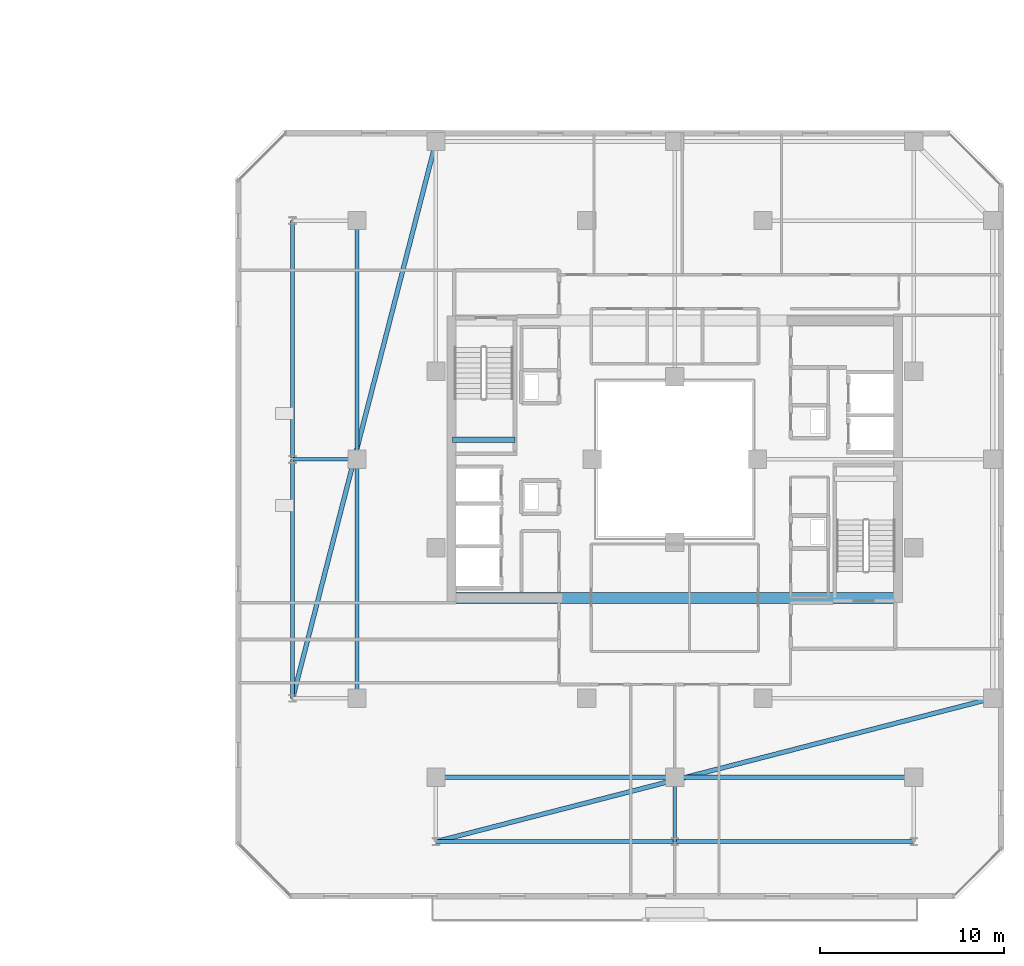
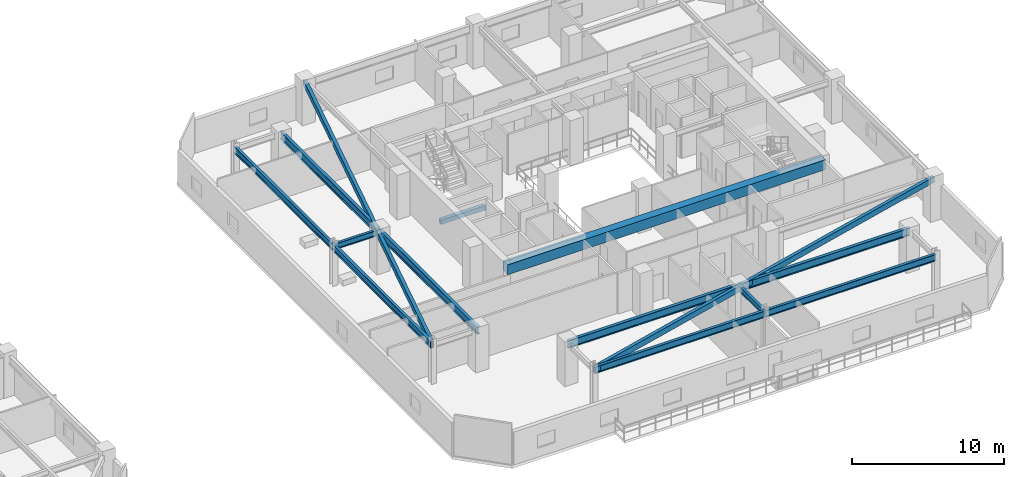
# One storey, part 12 of 33: 14 beams.
"""IFC4 building model written with IfcOpenShell, lengths in metres."""

from ifc_helpers import new_model, si_unit, direction, frame, origin, origin_2d, place, context, subcontext, project, spatial, rectangle, hollow_rectangle, i_section, extrude, material, material_profile, profile_set, type_object, element, save


model = new_model("IFC4")

# Units and contexts
model_context = context("Model", 3, precision=1e-05, world=origin(), true_north=direction((0.0, 1.0)))
body_context = subcontext(model_context, "Body", "Model", "MODEL_VIEW")
ifc_project = project(units=[si_unit("LENGTHUNIT", "METRE"), si_unit("AREAUNIT", "SQUARE_METRE"), si_unit("VOLUMEUNIT", "CUBIC_METRE"), si_unit("PLANEANGLEUNIT", "RADIAN"), si_unit("MASSUNIT", "GRAM", prefix="KILO")], contexts=[model_context])

# Site, building, storey
site_placement = place(None, origin())
site = spatial("IfcSite", under=ifc_project, at=site_placement, CompositionType="ELEMENT")
building_placement = place(site_placement, origin())
building = spatial("IfcBuilding", under=site, at=building_placement, Name="Thornwick Lancets Civic Towers", CompositionType="ELEMENT")
storey_placement = place(building_placement, frame((0.0, 0.0, 218.10009765625)))
storey = spatial("IfcBuildingStorey", under=building, at=storey_placement, Name="L58", CompositionType="ELEMENT", Elevation=218.10009765625)

# Beams
ifc_material_1 = material(Name="Concrete C60/75", Category="concrete")
ifc_material_profile_1 = material_profile(ifc_material_1, rectangle(XDim=0.60009765625, YDim=0.800048828125, at=origin_2d()), Name="RC 600x800")
ifc_profile_set_1 = profile_set([ifc_material_profile_1], Name="Concrete C60/75")
beam_type_1 = type_object("IfcBeamType", Name="BM_COUP_RC800", PredefinedType="BEAM", material=ifc_profile_set_1)
beam_1_placement = place(storey_placement, frame((76.39990234375, 19.449951171875, 2.8798828125), z_axis=(1.0, 0.0, 0.0), x_axis=(0.0, 1.0, 0.0)))
element("IfcBeam", 1, at=beam_1_placement, inside=storey, type_object=beam_type_1, Name="CB-L58-B2", PredefinedType="BEAM", context=body_context, shape_type="SweptSolid", body=[
    extrude(rectangle(XDim=0.60009765625, YDim=0.800048828125, at=origin_2d()), origin(), (0.0, 0.0, 1.0), 24.2001953125),
])
ifc_material_2 = material(Name="Steel S355JR", Category="steel")
ifc_material_profile_2 = material_profile(ifc_material_2, i_section(OverallWidth=0.210693359375, OverallDepth=0.53955078125, WebThickness=0.01171875, FlangeThickness=0.018798828125, FilletRadius=0.0126953125, at=origin_2d()), Name="UKB 533x210x109")
ifc_profile_set_2 = profile_set([ifc_material_profile_2], Name="Steel S355JR")
beam_type_2 = type_object("IfcBeamType", Name="BM_EDGE_533_109", PredefinedType="SPANDREL", material=ifc_profile_set_2)
beam_2_placement = place(storey_placement, frame((67.699951171875, 14.0, 3.01025390625), z_axis=(0.0, 1.0, 0.0), x_axis=(-1.0, 0.0, 0.0)))
element("IfcBeam", 2, at=beam_2_placement, inside=storey, type_object=beam_type_2, Name="BM-EDGE-L58-B-S2-1", PredefinedType="SPANDREL", context=body_context, shape_type="SweptSolid", body=[
    extrude(i_section(OverallWidth=0.210693359375, OverallDepth=0.53955078125, WebThickness=0.01171875, FlangeThickness=0.018798828125, FilletRadius=0.0126953125, at=origin_2d()), origin(), (0.0, 0.0, 1.0), 13.0),
])
beam_3_placement = place(storey_placement, frame((67.699951171875, 27.080078125, 3.01025390625), z_axis=(0.0, 1.0, 0.0), x_axis=(-1.0, 0.0, 0.0)))
element("IfcBeam", 3, at=beam_3_placement, inside=storey, type_object=beam_type_2, Name="BM-EDGE-L58-B-S2-2", PredefinedType="SPANDREL", context=body_context, shape_type="SweptSolid", body=[
    extrude(i_section(OverallWidth=0.210693359375, OverallDepth=0.53955078125, WebThickness=0.01171875, FlangeThickness=0.018798828125, FilletRadius=0.0126953125, at=origin_2d()), origin(), (0.0, 0.0, 1.0), 12.919921875),
])
beam_4_placement = place(storey_placement, frame((101.5, 6.199951171875, 3.01025390625), z_axis=(-1.0, 0.0, 0.0), x_axis=(0.0, -1.0, 0.0)))
element("IfcBeam", 4, at=beam_4_placement, inside=storey, type_object=beam_type_2, Name="BM-EDGE-L58-B-S3-1", PredefinedType="SPANDREL", context=body_context, shape_type="SweptSolid", body=[
    extrude(i_section(OverallWidth=0.210693359375, OverallDepth=0.53955078125, WebThickness=0.01171875, FlangeThickness=0.018798828125, FilletRadius=0.0126953125, at=origin_2d()), origin(), (0.0, 0.0, 1.0), 13.0),
])
beam_5_placement = place(storey_placement, frame((88.419921875, 6.199951171875, 3.01025390625), z_axis=(-1.0, 0.0, 0.0), x_axis=(0.0, -1.0, 0.0)))
element("IfcBeam", 5, at=beam_5_placement, inside=storey, type_object=beam_type_2, Name="BM-EDGE-L58-B-S3-2", PredefinedType="SPANDREL", context=body_context, shape_type="SweptSolid", body=[
    extrude(i_section(OverallWidth=0.210693359375, OverallDepth=0.53955078125, WebThickness=0.01171875, FlangeThickness=0.018798828125, FilletRadius=0.0126953125, at=origin_2d()), origin(), (0.0, 0.0, 1.0), 12.919921875),
])
ifc_material_profile_3 = material_profile(ifc_material_2, i_section(OverallWidth=0.230224609375, OverallDepth=0.6171875, WebThickness=0.01318359375, FlangeThickness=0.022216796875, FilletRadius=0.0126953125, at=origin_2d()), Name="UKB 610x229x140")
ifc_profile_set_3 = profile_set([ifc_material_profile_3], Name="Steel S355JR")
beam_type_3 = type_object("IfcBeamType", Name="BM_GIRD_610_140", PredefinedType="BEAM", material=ifc_profile_set_3)
beam_6_placement = place(storey_placement, frame((71.199951171875, 14.0, 2.97119140625), z_axis=(0.0, 1.0, 0.0), x_axis=(-1.0, 0.0, 0.0)))
element("IfcBeam", 6, at=beam_6_placement, inside=storey, type_object=beam_type_3, Name="BM-SPINE-L58-B-6-7", PredefinedType="BEAM", context=body_context, shape_type="SweptSolid", body=[
    extrude(i_section(OverallWidth=0.230224609375, OverallDepth=0.6171875, WebThickness=0.01318359375, FlangeThickness=0.022216796875, FilletRadius=0.0126953125, at=origin_2d()), origin(), (0.0, 0.0, 1.0), 13.0),
])
beam_7_placement = place(storey_placement, frame((71.199951171875, 27.080078125, 2.97119140625), z_axis=(0.0, 1.0, 0.0), x_axis=(-1.0, 0.0, 0.0)))
element("IfcBeam", 7, at=beam_7_placement, inside=storey, type_object=beam_type_3, Name="BM-SPINE-L58-B-7-8", PredefinedType="BEAM", context=body_context, shape_type="SweptSolid", body=[
    extrude(i_section(OverallWidth=0.230224609375, OverallDepth=0.6171875, WebThickness=0.01318359375, FlangeThickness=0.022216796875, FilletRadius=0.0126953125, at=origin_2d()), origin(), (0.0, 0.0, 1.0), 12.919921875),
])
beam_8_placement = place(storey_placement, frame((101.5, 9.699951171875, 2.97119140625), z_axis=(-1.0, 0.0, 0.0), x_axis=(0.0, -1.0, 0.0)))
element("IfcBeam", 8, at=beam_8_placement, inside=storey, type_object=beam_type_3, Name="BM-SPINE-L58-B-9-10", PredefinedType="BEAM", context=body_context, shape_type="SweptSolid", body=[
    extrude(i_section(OverallWidth=0.230224609375, OverallDepth=0.6171875, WebThickness=0.01318359375, FlangeThickness=0.022216796875, FilletRadius=0.0126953125, at=origin_2d()), origin(), (0.0, 0.0, 1.0), 13.0),
])
beam_9_placement = place(storey_placement, frame((88.419921875, 9.699951171875, 2.97119140625), z_axis=(-1.0, 0.0, 0.0), x_axis=(0.0, -1.0, 0.0)))
element("IfcBeam", 9, at=beam_9_placement, inside=storey, type_object=beam_type_3, Name="BM-SPINE-L58-B-10-11", PredefinedType="BEAM", context=body_context, shape_type="SweptSolid", body=[
    extrude(i_section(OverallWidth=0.230224609375, OverallDepth=0.6171875, WebThickness=0.01318359375, FlangeThickness=0.022216796875, FilletRadius=0.0126953125, at=origin_2d()), origin(), (0.0, 0.0, 1.0), 12.919921875),
])
ifc_material_profile_4 = material_profile(ifc_material_2, i_section(OverallWidth=0.19189453125, OverallDepth=0.46337890625, WebThickness=0.010498046875, FlangeThickness=0.017578125, FilletRadius=0.01025390625, at=origin_2d()), Name="UKB 457x191x89")
ifc_profile_set_4 = profile_set([ifc_material_profile_4], Name="Steel S355JR")
beam_type_4 = type_object("IfcBeamType", Name="BM_JOIST_457_89", PredefinedType="JOIST", material=ifc_profile_set_4)
for number, where, z_axis, x_axis, name in (
    (10, (71.199951171875, 27.0, 3.048095703125), (-1.0, 0.0, 0.0), (0.0, -1.0, 0.0), "BM-RAD-L58-B08"),
    (11, (88.5, 9.699951171875, 3.048095703125), (0.0, -1.0, 0.0), (1.0, 0.0, 0.0), "BM-RAD-L58-B11"),
):
    element("IfcBeam", number, at=place(storey_placement, frame(where, z_axis=z_axis, x_axis=x_axis)), inside=storey, type_object=beam_type_4, Name=name, PredefinedType="JOIST", context=body_context, shape_type="SweptSolid", body=[
        extrude(i_section(OverallWidth=0.19189453125, OverallDepth=0.46337890625, WebThickness=0.010498046875, FlangeThickness=0.017578125, FilletRadius=0.01025390625, at=origin_2d()), origin(), (0.0, 0.0, 1.0), 3.5),
    ])
ifc_material_profile_5 = material_profile(ifc_material_2, hollow_rectangle(XDim=0.25, YDim=0.449951171875, WallThickness=0.01611328125, at=origin_2d()), Name="RHS 450x250x16")
ifc_profile_set_5 = profile_set([ifc_material_profile_5], Name="Steel S355JR")
beam_type_5 = type_object("IfcBeamType", Name="BM_RING_RHS450", PredefinedType="BEAM", material=ifc_profile_set_5)
for number, where, z_axis, x_axis, name in (
    (12, (75.5, 44.300048828125, 3.054931640625), (-0.249299080716, -0.96842654257, 0.0), (0.96842654257, -0.249299080716, 0.0), "BM-CHAMF-L58-B-C1"),
    (13, (75.5, 6.199951171875, 3.054931640625), (0.96842654257, 0.249299080716, 0.0), (-0.249299080716, 0.96842654257, 0.0), "BM-CHAMF-L58-B-C3"),
):
    element("IfcBeam", number, at=place(storey_placement, frame(where, z_axis=z_axis, x_axis=x_axis)), inside=storey, type_object=beam_type_5, Name=name, PredefinedType="BEAM", context=body_context, shape_type="SweptSolid", body=[
        extrude(hollow_rectangle(XDim=0.25, YDim=0.449951171875, WallThickness=0.01611328125, at=origin_2d()), origin(), (0.0, 0.0, 1.0), 31.287841796875),
    ])
ifc_material_3 = material(Name="Concrete C40/50", Category="concrete")
ifc_material_profile_6 = material_profile(ifc_material_3, rectangle(XDim=0.300048828125, YDim=0.35009765625, at=origin_2d()), Name="RC 300x350")
ifc_profile_set_6 = profile_set([ifc_material_profile_6], Name="Concrete C40/50")
beam_type_6 = type_object("IfcBeamType", Name="BM_STAIR_LDG", PredefinedType="BEAM", material=ifc_profile_set_6)
beam_10_placement = place(storey_placement, frame((76.39990234375, 28.06494140625, 1.3779296875), z_axis=(1.0, 0.0, 0.0), x_axis=(0.0, 1.0, 0.0)))
element("IfcBeam", 14, at=beam_10_placement, inside=storey, type_object=beam_type_6, Name="L58 ST-B2 Landing Support Beam 1", PredefinedType="BEAM", context=body_context, shape_type="SweptSolid", body=[
    extrude(rectangle(XDim=0.300048828125, YDim=0.35009765625, at=origin_2d()), origin(), (0.0, 0.0, 1.0), 3.400146484375),
])

save(model, "model.ifc")
